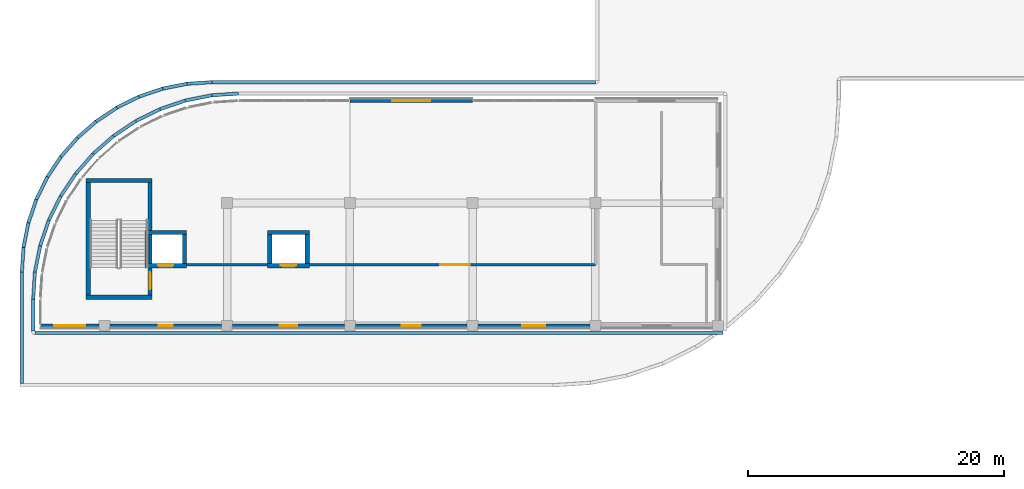
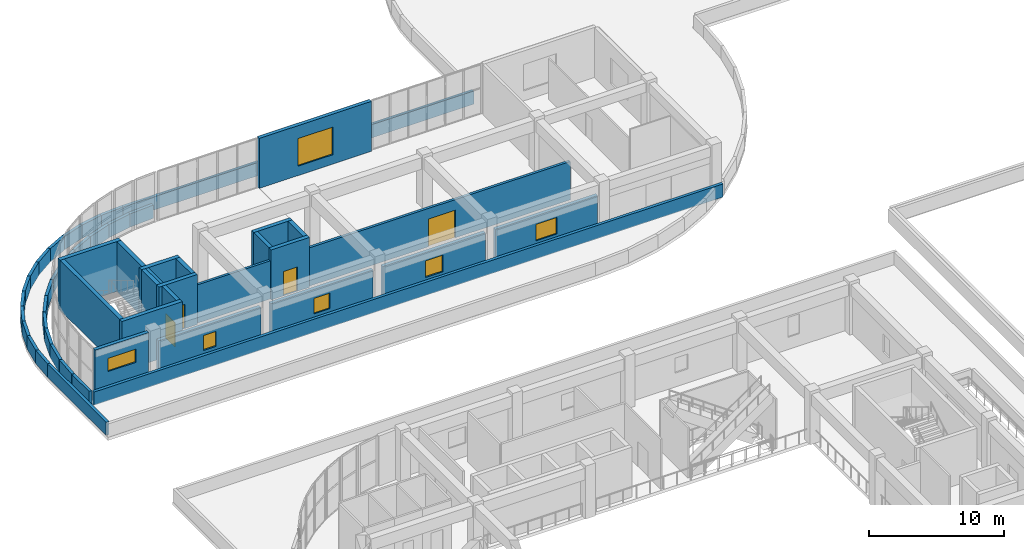
# One storey, part 47 of 67: 48 walls, 6 windows, 4 doors, 10 openings.
"""IFC4 building model written with IfcOpenShell, lengths in metres."""

import ifcopenshell
import ifcopenshell.guid

model = None  # the IFC model being written
_history = None  # IfcOwnerHistory: only IFC2X3 demands one
_inside = {}  # id of a spatial element -> (the spatial element, [elements in it])
_under = {}  # id of a project, library or spatial element -> (it, [spatial elements below it])
_declared = {}  # id of a project -> (the project, [libraries it declares])
_typed = {}  # id of a type object -> (the type object, [elements of that type])
_made_of = {}  # id of a material, layer set ... -> (it, [elements and type objects made of it])


def new_model(schema):
    """Start an empty IFC model of exactly this schema.

    Asked for "IFC4X3", IfcOpenShell would pick the latest addendum, in which some entities
    have other attributes; the version numbers below select the first issue.
    IFC2X3 requires an IfcOwnerHistory on every rooted entity: one is made here for all.
    """
    global model, _history
    if schema == "IFC4X3":
        model = ifcopenshell.file(schema_version=(4, 3, 0, 0))
    else:
        model = ifcopenshell.file(schema=schema)
    _inside.clear()
    _under.clear()
    _declared.clear()
    _typed.clear()
    _made_of.clear()
    _history = None
    if model.schema == "IFC2X3":
        org = make("IfcOrganization", Name="unknown")
        user = make(
            "IfcPersonAndOrganization",
            ThePerson=make("IfcPerson", FamilyName="unknown"),
            TheOrganization=org,
        )
        app = make(
            "IfcApplication",
            ApplicationDeveloper=org,
            Version="unknown",
            ApplicationFullName="unknown",
            ApplicationIdentifier="unknown",
        )
        _history = make(
            "IfcOwnerHistory",
            OwningUser=user,
            OwningApplication=app,
            ChangeAction="ADDED",
            CreationDate=0,
        )
    return model


def make(cls, **values):
    """One entity of the class cls with the attributes given. An attribute that is None is left unset."""
    return model.create_entity(
        cls, **{name: value for name, value in values.items() if value is not None}
    )


def rooted(cls, **values):
    """An entity with a GlobalId (a new one), such as an element, a storey or a relation."""
    return make(cls, GlobalId=ifcopenshell.guid.new(), OwnerHistory=_history, **values)


def si_unit(unit_type, name, prefix=None):
    """IfcSIUnit, for example si_unit("LENGTHUNIT", "METRE", prefix="MILLI")."""
    return make("IfcSIUnit", UnitType=unit_type, Prefix=prefix, Name=name)


def assignment(units):
    """IfcUnitAssignment: the units of a project."""
    return None if units is None else make("IfcUnitAssignment", Units=units)


def point(xyz):
    """IfcCartesianPoint."""
    return None if xyz is None else make("IfcCartesianPoint", Coordinates=xyz)


def direction(xyz):
    """IfcDirection."""
    return None if xyz is None else make("IfcDirection", DirectionRatios=xyz)


def frame(location, z_axis=None, x_axis=None):
    """IfcAxis2Placement3D, a coordinate frame: its origin and axes. An axis left out is left unset."""
    return make(
        "IfcAxis2Placement3D",
        Location=point(location),
        Axis=direction(z_axis),
        RefDirection=direction(x_axis),
    )


def frame_2d(location, x_axis=None):
    """IfcAxis2Placement2D, a coordinate frame in the plane: its origin and x axis."""
    return make(
        "IfcAxis2Placement2D", Location=point(location), RefDirection=direction(x_axis)
    )


def origin():
    """The frame at (0, 0, 0) with its axes left unset."""
    return frame((0.0, 0.0, 0.0))


def place(relative_to, where):
    """IfcLocalPlacement: puts the frame where relative to a parent placement (None: the world)."""
    return make(
        "IfcLocalPlacement", PlacementRelTo=relative_to, RelativePlacement=where
    )


def context(
    kind, dimensions, precision=None, world=None, true_north=None, identifier=None
):
    """IfcGeometricRepresentationContext, for example the 3D "Model" context."""
    return make(
        "IfcGeometricRepresentationContext",
        ContextIdentifier=identifier,
        ContextType=kind,
        CoordinateSpaceDimension=dimensions,
        Precision=precision,
        WorldCoordinateSystem=world,
        TrueNorth=true_north,
    )


def subcontext(parent, identifier, kind, view, scale=None):
    """IfcGeometricRepresentationSubContext, for example "Body" below "Model"."""
    return make(
        "IfcGeometricRepresentationSubContext",
        ContextIdentifier=identifier,
        ContextType=kind,
        ParentContext=parent,
        TargetScale=scale,
        TargetView=view,
    )


def project(units=None, contexts=None):
    """IfcProject with its units and contexts."""
    return rooted(
        "IfcProject",
        Name="project",
        RepresentationContexts=contexts,
        UnitsInContext=assignment(units),
    )


def spatial(cls, under=None, at=None, **own):
    """A site, building, storey or space (cls), placed at a placement, below another one or the project."""
    s = rooted(cls, ObjectPlacement=at, **own)
    if under is not None:
        _under.setdefault(under.id(), (under, []))[1].append(s)
    return s


def profile(cls, at=None, kind="AREA", **sizes):
    """A parametric profile (cls). Its sizes go by their IFC names, for example OverallWidth=200.0."""
    return make(cls, ProfileType=kind, Position=at, **sizes)


def rectangle(**sizes):
    """IfcRectangleProfileDef."""
    return profile("IfcRectangleProfileDef", **sizes)


def extrude(swept, where, along, depth):
    """IfcExtrudedAreaSolid: the profile swept, set in the frame where, extruded along a direction by depth."""
    return make(
        "IfcExtrudedAreaSolid",
        SweptArea=swept,
        Position=where,
        ExtrudedDirection=direction(along),
        Depth=depth,
    )


def shape(context_of_items, identifier, shape_type, items):
    """IfcShapeRepresentation: the items that make up one representation, for example the "Body"."""
    return make(
        "IfcShapeRepresentation",
        ContextOfItems=context_of_items,
        RepresentationIdentifier=identifier,
        RepresentationType=shape_type,
        Items=items,
    )


def material(Name=None, Category=None):
    """IfcMaterial."""
    return make("IfcMaterial", Name=Name, Category=Category)


def layer(
    of_material, thickness, ventilated=None, Name=None, Category=None, Priority=None
):
    """IfcMaterialLayer: one layer of a wall or slab, of a material (None: an air gap)."""
    return make(
        "IfcMaterialLayer",
        Material=of_material,
        LayerThickness=thickness,
        IsVentilated=ventilated,
        Name=Name,
        Category=Category,
        Priority=Priority,
    )


def layer_set(layers, Name=None):
    """IfcMaterialLayerSet."""
    return make("IfcMaterialLayerSet", MaterialLayers=layers, LayerSetName=Name)


def made_of(thing, what):
    """Note that an element or type object is made of a material, layer set ...; save() writes the relation."""
    if what is not None:
        _made_of.setdefault(what.id(), (what, []))[1].append(thing)
    return thing


def type_object(cls, material=None, **own):
    """A type object (cls), such as IfcWallType, which elements share."""
    return made_of(rooted(cls, **own), material)


def element(
    cls,
    number,
    at=None,
    inside=None,
    cuts=None,
    type_object=None,
    material=None,
    context=None,
    identifier="Body",
    shape_type=None,
    held_by="IfcProductDefinitionShape",
    body=None,
    shapes=None,
    **own,
):
    """One element of the class cls, such as IfcWall. Its Tag is "e" and its number.

    at: its placement. inside: the storey or other place that contains it. cuts: it is an
    opening in that element (IfcRelVoidsElement). A single representation is given by context,
    identifier, shape_type and body (its items); several are given by shapes. held_by: the class
    of the entity that holds the representations. save() writes the other relations.
    """
    e = rooted(cls, Tag="e%d" % number, ObjectPlacement=at, **own)
    if body is not None:
        shapes = [shape(context, identifier, shape_type, body)]
    if shapes is not None:
        e.Representation = make(held_by, Representations=shapes)
    if inside is not None:
        _inside.setdefault(inside.id(), (inside, []))[1].append(e)
    if cuts is not None:
        rooted(
            "IfcRelVoidsElement", RelatingBuildingElement=cuts, RelatedOpeningElement=e
        )
    if type_object is not None:
        _typed.setdefault(type_object.id(), (type_object, []))[1].append(e)
    return made_of(e, material)


def fill(opening, filler):
    """IfcRelFillsElement: the door or window that sits in an opening."""
    return rooted(
        "IfcRelFillsElement",
        RelatingOpeningElement=opening,
        RelatedBuildingElement=filler,
    )


def aggregate(whole, parts):
    """IfcRelAggregates: a whole, such as a stair, and the parts it consists of."""
    return rooted("IfcRelAggregates", RelatingObject=whole, RelatedObjects=parts)


def save(model, path):
    """Write the relations noted so far, then the file.

    IfcRelAggregates (storeys below a building ...), IfcRelContainedInSpatialStructure (elements
    in a storey), IfcRelDefinesByType, IfcRelAssociatesMaterial and IfcRelDeclares: one each for
    every whole, place, type object, material and project.
    """
    for whole, parts in _under.values():
        aggregate(whole, parts)
    for where, things in _inside.values():
        rooted(
            "IfcRelContainedInSpatialStructure",
            RelatedElements=things,
            RelatingStructure=where,
        )
    for kind, things in _typed.values():
        rooted("IfcRelDefinesByType", RelatedObjects=things, RelatingType=kind)
    for what, things in _made_of.values():
        rooted("IfcRelAssociatesMaterial", RelatedObjects=things, RelatingMaterial=what)
    for by, libraries in _declared.values():
        rooted("IfcRelDeclares", RelatingContext=by, RelatedDefinitions=libraries)
    model.write(path)


model = new_model("IFC4")

# Units and contexts
model_context = context("Model", 3, precision=1e-05, world=origin(), true_north=direction((0.0, 1.0)))
body_context = subcontext(model_context, "Body", "Model", "MODEL_VIEW")
ifc_project = project(units=[si_unit("LENGTHUNIT", "METRE"), si_unit("AREAUNIT", "SQUARE_METRE"), si_unit("VOLUMEUNIT", "CUBIC_METRE"), si_unit("PLANEANGLEUNIT", "RADIAN"), si_unit("MASSUNIT", "GRAM", prefix="KILO")], contexts=[model_context])

# Site, building, storey
site_placement = place(None, origin())
site = spatial("IfcSite", under=ifc_project, at=site_placement, CompositionType="ELEMENT")
building_placement = place(site_placement, origin())
building = spatial("IfcBuilding", under=site, at=building_placement, Name="Cendralis Terraced Arcade", CompositionType="ELEMENT")
storey_placement = place(building_placement, frame((0.0, 0.0, 15.0)))
storey = spatial("IfcBuildingStorey", under=building, at=storey_placement, Name="L03", CompositionType="ELEMENT", Elevation=15.0)

# Wall
ifc_material_1 = material(Name="Gypsum plasterboard acoustic partition", Category="concrete")
ifc_layer_1 = layer(ifc_material_1, 0.205078125, Name="WL-ACOU-205")
ifc_layer_set_1 = layer_set([ifc_layer_1], Name="Gypsum plasterboard acoustic partition")
wall_type_1 = type_object("IfcWallType", Name="WL-ACOU-205", PredefinedType="PARTITIONING", material=ifc_layer_set_1)
wall_1_placement = place(storey_placement, frame((22.360107421875, 74.3798828125, 0.0), z_axis=(0.0, 0.0, 1.0), x_axis=(-1.0, 0.0, 0.0)))
element("IfcWall", 1, at=wall_1_placement, inside=storey, type_object=wall_type_1, Name="Interior Partition Wall IW-L03-0545", PredefinedType="PARTITIONING", context=body_context, shape_type="SweptSolid", body=[
    extrude(rectangle(XDim=6.320068359375, YDim=0.205078125, at=frame_2d((3.16015625, 0.0))), origin(), (0.0, 0.0, 1.0), 3.4599609375),
])

# Wall, opening, door
ifc_material_2 = material(Name="Autoclaved aerated concrete blockwork", Category="masonry")
ifc_layer_2 = layer(ifc_material_2, 0.221923828125, Name="WL-ACOU-222")
ifc_layer_set_2 = layer_set([ifc_layer_2], Name="Autoclaved aerated concrete blockwork")
wall_type_2 = type_object("IfcWallType", Name="WL-ACOU-222", PredefinedType="PARTITIONING", material=ifc_layer_set_2)
wall_2_placement = place(storey_placement, frame((48.02001953125, 74.3798828125, 0.0), z_axis=(0.0, 0.0, 1.0), x_axis=(-1.0, 0.0, 0.0)))
wall_2 = element("IfcWall", 2, at=wall_2_placement, inside=storey, type_object=wall_type_2, Name="Interior Partition Wall IW-L03-0543", PredefinedType="PARTITIONING", context=body_context, shape_type="SweptSolid", body=[
    extrude(rectangle(XDim=22.380126953125, YDim=0.221923828125, at=frame_2d((11.18994140625, 0.0))), origin(), (0.0, 0.0, 1.0), 3.4599609375),
])
opening_1_placement = place(wall_2_placement, frame((9.8369140625, 0.0, 0.0)))
opening_1 = element("IfcOpeningElement", 3, at=opening_1_placement, cuts=wall_2, Name="Opening D-L03-145", PredefinedType="OPENING", context=body_context, shape_type="SweptSolid", body=[
    extrude(rectangle(XDim=2.300048828125, YDim=2.5, at=frame_2d((1.14990234375, 1.25))), frame((0.0, 0.123046875, 0.0), z_axis=(0.0, -1.0, 0.0), x_axis=(1.0, 0.0, 0.0)), (0.0, 0.0, 1.0), 0.245849609375),
])
ifc_material_3 = material(Name="Solid core Andean oak veneer door leaf", Category="aluminium")
door_type_1 = type_object("IfcDoorType", Name="ID-DEP-2300x2500", OperationType="DOUBLE_DOOR_SINGLE_SWING", PredefinedType="DOOR", material=ifc_material_3)
door_1_placement = place(opening_1_placement, origin())
door_1 = element("IfcDoor", 4, at=door_1_placement, inside=storey, type_object=door_type_1, Name="Electronics and Media Gallery Door D-L03-145", OperationType="DOUBLE_DOOR_SINGLE_SWING", OverallHeight=2.5, OverallWidth=2.300048828125, PredefinedType="DOOR", context=body_context, shape_type="SweptSolid", body=[
    extrude(rectangle(XDim=2.300048828125, YDim=2.5, at=frame_2d((1.14990234375, 1.25))), frame((0.0, 0.02490234375, 0.0), z_axis=(0.0, -1.0, 0.0), x_axis=(1.0, 0.0, 0.0)), (0.0, 0.0, 1.0), 0.050048828125),
])
fill(opening_1, door_1)

# Walls
ifc_material_4 = material(Name="Concrete f'c 42 MPa", Category="concrete")
ifc_layer_3 = layer(ifc_material_4, 0.340087890625, Name="WL-CORE-340")
ifc_layer_set_3 = layer_set([ifc_layer_3], Name="Concrete f'c 42 MPa")
wall_type_3 = type_object("IfcWallType", Name="WL-CORE-340", PredefinedType="SHEAR", material=ifc_layer_set_3)
for number, where, z_axis, x_axis, name in (
    (5, (8.159912109375, 71.830078125, 0.0), (0.0, 0.0, 1.0), (1.0, 0.0, 0.0), "Stair Core Reinforced Concrete Shear Wall SW-ST-07-L03-S"),
    (6, (8.159912109375, 80.969970703125, 0.0), (0.0, 0.0, 1.0), (1.0, 0.0, 0.0), "Stair Core Reinforced Concrete Shear Wall SW-ST-07-L03-N"),
):
    element("IfcWall", number, at=place(storey_placement, frame(where, z_axis=z_axis, x_axis=x_axis)), inside=storey, type_object=wall_type_3, Name=name, PredefinedType="SHEAR", context=body_context, shape_type="SweptSolid", body=[
        extrude(rectangle(XDim=5.18017578125, YDim=0.340087890625, at=frame_2d((2.590087890625, 0.0))), origin(), (0.0, 0.0, 1.0), 4.52001953125),
    ])

# Wall, opening, door
wall_3_placement = place(storey_placement, frame((13.169921875, 72.0, 0.0), z_axis=(0.0, 0.0, 1.0), x_axis=(0.0, 1.0, 0.0)))
wall_3 = element("IfcWall", 7, at=wall_3_placement, inside=storey, type_object=wall_type_3, Name="Stair Core Reinforced Concrete Shear Wall SW-ST-07-L03-E", PredefinedType="SHEAR", context=body_context, shape_type="SweptSolid", body=[
    extrude(rectangle(XDim=8.800048828125, YDim=0.340087890625, at=frame_2d((4.39990234375, 0.0))), origin(), (0.0, 0.0, 1.0), 4.52001953125),
])
opening_2_placement = place(wall_3_placement, frame((0.449951171875, 0.0, 0.0)))
opening_2 = element("IfcOpeningElement", 8, at=opening_2_placement, cuts=wall_3, Name="Opening D-ST-07-L03", PredefinedType="OPENING", context=body_context, shape_type="SweptSolid", body=[
    extrude(rectangle(XDim=1.35009765625, YDim=2.199951171875, at=frame_2d((0.675048828125, 1.10009765625))), frame((0.0, 0.18212890625, 0.0), z_axis=(0.0, -1.0, 0.0), x_axis=(1.0, 0.0, 0.0)), (0.0, 0.0, 1.0), 0.364013671875),
])
ifc_material_5 = material(Name="Galvanised fire-rated steel door assembly", Category="steel")
door_type_2 = type_object("IfcDoorType", Name="ID-ST-1350x2200", OperationType="NOTDEFINED", PredefinedType="DOOR", material=ifc_material_5)
door_2_placement = place(opening_2_placement, origin())
door_2 = element("IfcDoor", 9, at=door_2_placement, inside=storey, type_object=door_type_2, Name="Protected Stair ST-07 Fire Door (L03)", OperationType="SINGLE_SWING_LEFT", OverallHeight=2.199951171875, OverallWidth=1.35009765625, PredefinedType="DOOR", context=body_context, shape_type="SweptSolid", body=[
    extrude(rectangle(XDim=1.35009765625, YDim=2.199951171875, at=frame_2d((0.675048828125, 1.10009765625))), frame((0.0, 0.02490234375, 0.0), z_axis=(0.0, -1.0, 0.0), x_axis=(1.0, 0.0, 0.0)), (0.0, 0.0, 1.0), 0.050048828125),
])
fill(opening_2, door_2)

# Wall
wall_4_placement = place(storey_placement, frame((8.330078125, 72.0, 0.0), z_axis=(0.0, 0.0, 1.0), x_axis=(0.0, 1.0, 0.0)))
element("IfcWall", 10, at=wall_4_placement, inside=storey, type_object=wall_type_3, Name="Stair Core Reinforced Concrete Shear Wall SW-ST-07-L03-W", PredefinedType="SHEAR", context=body_context, shape_type="SweptSolid", body=[
    extrude(rectangle(XDim=8.800048828125, YDim=0.340087890625, at=frame_2d((4.39990234375, 0.0))), origin(), (0.0, 0.0, 1.0), 4.52001953125),
])

# Wall, opening, door
wall_5_placement = place(storey_placement, frame((12.760009765625, 74.304931640625, 0.0), z_axis=(0.0, 0.0, 1.0), x_axis=(1.0, 0.0, 0.0)))
wall_5 = element("IfcWall", 11, at=wall_5_placement, inside=storey, type_object=wall_type_3, Name="Lift PL-05 Reinforced Concrete Shaft Wall (L03)", PredefinedType="SHEAR", context=body_context, shape_type="SweptSolid", body=[
    extrude(rectangle(XDim=3.280029296875, YDim=0.340087890625, at=frame_2d((1.64013671875, 0.0))), origin(), (0.0, 0.0, 1.0), 4.52001953125),
])
opening_3_placement = place(wall_5_placement, frame((1.0400390625, 0.0, 0.0)))
opening_3 = element("IfcOpeningElement", 12, at=opening_3_placement, cuts=wall_5, Name="Opening LD-PL-05-L03", PredefinedType="OPENING", context=body_context, shape_type="SweptSolid", body=[
    extrude(rectangle(XDim=1.199951171875, YDim=2.199951171875, at=frame_2d((0.60009765625, 1.10009765625))), frame((0.0, 0.18212890625, 0.0), z_axis=(0.0, -1.0, 0.0), x_axis=(1.0, 0.0, 0.0)), (0.0, 0.0, 1.0), 0.364013671875),
])
ifc_material_6 = material(Name="Anodised aluminium sliding door assembly", Category="aluminium")
door_type_3 = type_object("IfcDoorType", Name="ID-LD-PX-1200x2200", OperationType="DOUBLE_DOOR_SLIDING", PredefinedType="DOOR", material=ifc_material_6)
door_3_placement = place(opening_3_placement, origin())
door_3 = element("IfcDoor", 13, at=door_3_placement, inside=storey, type_object=door_type_3, Name="Lift PL-05 Sliding Landing Door (L03)", OperationType="DOUBLE_DOOR_SLIDING", OverallHeight=2.199951171875, OverallWidth=1.199951171875, PredefinedType="DOOR", context=body_context, shape_type="SweptSolid", body=[
    extrude(rectangle(XDim=1.199951171875, YDim=2.199951171875, at=frame_2d((0.60009765625, 1.10009765625))), frame((0.0, 0.02490234375, 0.0), z_axis=(0.0, -1.0, 0.0), x_axis=(1.0, 0.0, 0.0)), (0.0, 0.0, 1.0), 0.050048828125),
])
fill(opening_3, door_3)

# Walls
wall_6_placement = place(storey_placement, frame((12.760009765625, 76.89501953125, 0.0), z_axis=(0.0, 0.0, 1.0), x_axis=(1.0, 0.0, 0.0)))
element("IfcWall", 14, at=wall_6_placement, inside=storey, type_object=wall_type_3, Name="Lift PL-05 Reinforced Concrete Shaft Wall (L03)", PredefinedType="SHEAR", context=body_context, shape_type="SweptSolid", body=[
    extrude(rectangle(XDim=3.280029296875, YDim=0.340087890625, at=frame_2d((1.64013671875, 0.0))), origin(), (0.0, 0.0, 1.0), 4.52001953125),
])
for number, where, z_axis, x_axis, name in (
    (15, (12.929931640625, 74.47509765625, 0.0), (0.0, 0.0, 1.0), (0.0, 1.0, 0.0), "Lift PL-05 Reinforced Concrete Shaft Wall (L03)"),
    (16, (15.8701171875, 74.47509765625, 0.0), (0.0, 0.0, 1.0), (0.0, 1.0, 0.0), "Lift PL-05 Reinforced Concrete Shaft Wall (L03)"),
):
    element("IfcWall", number, at=place(storey_placement, frame(where, z_axis=z_axis, x_axis=x_axis)), inside=storey, type_object=wall_type_3, Name=name, PredefinedType="SHEAR", context=body_context, shape_type="SweptSolid", body=[
        extrude(rectangle(XDim=2.25, YDim=0.340087890625, at=frame_2d((1.125, 0.0))), origin(), (0.0, 0.0, 1.0), 4.52001953125),
    ])

# Wall, opening, door
wall_7_placement = place(storey_placement, frame((22.360107421875, 74.304931640625, 0.0), z_axis=(0.0, 0.0, 1.0), x_axis=(1.0, 0.0, 0.0)))
wall_7 = element("IfcWall", 17, at=wall_7_placement, inside=storey, type_object=wall_type_3, Name="Lift PL-06 Reinforced Concrete Shaft Wall (L03)", PredefinedType="SHEAR", context=body_context, shape_type="SweptSolid", body=[
    extrude(rectangle(XDim=3.27978515625, YDim=0.340087890625, at=frame_2d((1.639892578125, 0.0))), origin(), (0.0, 0.0, 1.0), 4.52001953125),
])
opening_4_placement = place(wall_7_placement, frame((1.0400390625, 0.0, 0.0)))
opening_4 = element("IfcOpeningElement", 18, at=opening_4_placement, cuts=wall_7, Name="Opening LD-PL-06-L03", PredefinedType="OPENING", context=body_context, shape_type="SweptSolid", body=[
    extrude(rectangle(XDim=1.199951171875, YDim=2.199951171875, at=frame_2d((0.60009765625, 1.10009765625))), frame((0.0, 0.18212890625, 0.0), z_axis=(0.0, -1.0, 0.0), x_axis=(1.0, 0.0, 0.0)), (0.0, 0.0, 1.0), 0.364013671875),
])
door_4_placement = place(opening_4_placement, origin())
door_4 = element("IfcDoor", 19, at=door_4_placement, inside=storey, type_object=door_type_3, Name="Lift PL-06 Sliding Landing Door (L03)", OperationType="DOUBLE_DOOR_SLIDING", OverallHeight=2.199951171875, OverallWidth=1.199951171875, PredefinedType="DOOR", context=body_context, shape_type="SweptSolid", body=[
    extrude(rectangle(XDim=1.199951171875, YDim=2.199951171875, at=frame_2d((0.60009765625, 1.10009765625))), frame((0.0, 0.02490234375, 0.0), z_axis=(0.0, -1.0, 0.0), x_axis=(1.0, 0.0, 0.0)), (0.0, 0.0, 1.0), 0.050048828125),
])
fill(opening_4, door_4)

# Walls
wall_8_placement = place(storey_placement, frame((22.360107421875, 76.89501953125, 0.0), z_axis=(0.0, 0.0, 1.0), x_axis=(1.0, 0.0, 0.0)))
element("IfcWall", 20, at=wall_8_placement, inside=storey, type_object=wall_type_3, Name="Lift PL-06 Reinforced Concrete Shaft Wall (L03)", PredefinedType="SHEAR", context=body_context, shape_type="SweptSolid", body=[
    extrude(rectangle(XDim=3.27978515625, YDim=0.340087890625, at=frame_2d((1.639892578125, 0.0))), origin(), (0.0, 0.0, 1.0), 4.52001953125),
])
for number, where, z_axis, x_axis, name in (
    (21, (22.530029296875, 74.47509765625, 0.0), (0.0, 0.0, 1.0), (0.0, 1.0, 0.0), "Lift PL-06 Reinforced Concrete Shaft Wall (L03)"),
    (22, (25.469970703125, 74.47509765625, 0.0), (0.0, 0.0, 1.0), (0.0, 1.0, 0.0), "Lift PL-06 Reinforced Concrete Shaft Wall (L03)"),
):
    element("IfcWall", number, at=place(storey_placement, frame(where, z_axis=z_axis, x_axis=x_axis)), inside=storey, type_object=wall_type_3, Name=name, PredefinedType="SHEAR", context=body_context, shape_type="SweptSolid", body=[
        extrude(rectangle(XDim=2.25, YDim=0.340087890625, at=frame_2d((1.125, 0.0))), origin(), (0.0, 0.0, 1.0), 4.52001953125),
    ])

# Wall, opening, window
ifc_material_7 = material(Name="Precast concrete f'c 40 MPa", Category="concrete")
ifc_layer_4 = layer(ifc_material_7, 0.300048828125, Name="WL-EXT-GRC-300")
ifc_layer_set_4 = layer_set([ifc_layer_4], Name="Precast concrete f'c 40 MPa")
wall_type_4 = type_object("IfcWallType", Name="WL-EXT-GRC-300", PredefinedType="SOLIDWALL", material=ifc_layer_set_4)
wall_9_placement = place(storey_placement, frame((28.800048828125, 87.199951171875, 0.0), z_axis=(0.0, 0.0, 1.0), x_axis=(1.0, 0.0, 0.0)))
wall_9 = element("IfcWall", 23, at=wall_9_placement, inside=storey, type_object=wall_type_4, Name="Exterior Architectural Wall EW-L03-0274", PredefinedType="SOLIDWALL", context=body_context, shape_type="SweptSolid", body=[
    extrude(rectangle(XDim=9.599853515625, YDim=0.300048828125, at=frame_2d((4.7998046875, 0.0))), origin(), (0.0, 0.0, 1.0), 4.52001953125),
])
opening_5_placement = place(wall_9_placement, frame((3.300048828125, 0.0, 0.85009765625)))
opening_5 = element("IfcOpeningElement", 24, at=opening_5_placement, cuts=wall_9, Name="Opening W-08", PredefinedType="OPENING", context=body_context, shape_type="SweptSolid", body=[
    extrude(rectangle(XDim=3.0, YDim=2.5, at=frame_2d((1.5, 1.25))), frame((0.0, 0.162109375, 0.0), z_axis=(0.0, -1.0, 0.0), x_axis=(1.0, 0.0, 0.0)), (0.0, 0.0, 1.0), 0.323974609375),
])
ifc_material_8 = material(Name="Tempered solar control laminated glass", Category="glass")
window_type_1 = type_object("IfcWindowType", Name="WN-F2-3000x2500", PartitioningType="SINGLE_PANEL", PredefinedType="WINDOW", material=ifc_material_8)
window_1_placement = place(opening_5_placement, origin())
window_1 = element("IfcWindow", 25, at=window_1_placement, inside=storey, type_object=window_type_1, Name="Exterior Solar-Control Window WN-L03-0181", OverallHeight=2.5, OverallWidth=3.0, PartitioningType="SINGLE_PANEL", PredefinedType="WINDOW", context=body_context, shape_type="SweptSolid", body=[
    extrude(rectangle(XDim=3.0, YDim=2.5, at=frame_2d((1.5, 1.25))), frame((0.0, 0.030029296875, 0.0), z_axis=(0.0, -1.0, 0.0), x_axis=(1.0, 0.0, 0.0)), (0.0, 0.0, 1.0), 0.06005859375),
])
fill(opening_5, window_1)

wall_10_placement = place(storey_placement, frame((47.576904296875, 69.60009765625, 0.0), z_axis=(0.0, 0.0, 1.0), x_axis=(-1.0, 0.0, 0.0)))
wall_10 = element("IfcWall", 26, at=wall_10_placement, inside=storey, type_object=wall_type_4, Name="Exterior Architectural Wall EW-L03-0279", PredefinedType="SOLIDWALL", context=body_context, shape_type="SweptSolid", body=[
    extrude(rectangle(XDim=8.75390625, YDim=0.300048828125, at=frame_2d((4.376953125, 0.0))), origin(), (0.0, 0.0, 1.0), 3.4599609375),
])
opening_6_placement = place(wall_10_placement, frame((3.47705078125, 0.0, 1.199951171875)))
opening_6 = element("IfcOpeningElement", 27, at=opening_6_placement, cuts=wall_10, Name="Opening W-19", PredefinedType="OPENING", context=body_context, shape_type="SweptSolid", body=[
    extrude(rectangle(XDim=1.800048828125, YDim=1.5, at=frame_2d((0.89990234375, 0.75))), frame((0.0, 0.162109375, 0.0), z_axis=(0.0, -1.0, 0.0), x_axis=(1.0, 0.0, 0.0)), (0.0, 0.0, 1.0), 0.323974609375),
])
window_type_2 = type_object("IfcWindowType", Name="WN-BOH-1800x1500", PartitioningType="SINGLE_PANEL", PredefinedType="WINDOW", material=ifc_material_8)
window_2_placement = place(opening_6_placement, origin())
window_2 = element("IfcWindow", 28, at=window_2_placement, inside=storey, type_object=window_type_2, Name="Exterior Solar-Control Window WN-L03-0186", OverallHeight=1.5, OverallWidth=1.800048828125, PartitioningType="SINGLE_PANEL", PredefinedType="WINDOW", context=body_context, shape_type="SweptSolid", body=[
    extrude(rectangle(XDim=1.800048828125, YDim=1.5, at=frame_2d((0.89990234375, 0.75))), frame((0.0, 0.030029296875, 0.0), z_axis=(0.0, -1.0, 0.0), x_axis=(1.0, 0.0, 0.0)), (0.0, 0.0, 1.0), 0.06005859375),
])
fill(opening_6, window_2)

wall_11_placement = place(storey_placement, frame((37.97705078125, 69.60009765625, 0.0), z_axis=(0.0, 0.0, 1.0), x_axis=(-1.0, 0.0, 0.0)))
wall_11 = element("IfcWall", 29, at=wall_11_placement, inside=storey, type_object=wall_type_4, Name="Exterior Architectural Wall EW-L03-0280", PredefinedType="SOLIDWALL", context=body_context, shape_type="SweptSolid", body=[
    extrude(rectangle(XDim=8.754150390625, YDim=0.300048828125, at=frame_2d((4.376953125, 0.0))), origin(), (0.0, 0.0, 1.0), 3.4599609375),
])
opening_7_placement = place(wall_11_placement, frame((3.626953125, 0.0, 1.199951171875)))
opening_7 = element("IfcOpeningElement", 30, at=opening_7_placement, cuts=wall_11, Name="Opening W-20", PredefinedType="OPENING", context=body_context, shape_type="SweptSolid", body=[
    extrude(rectangle(XDim=1.5, YDim=1.5, at=frame_2d((0.75, 0.75))), frame((0.0, 0.162109375, 0.0), z_axis=(0.0, -1.0, 0.0), x_axis=(1.0, 0.0, 0.0)), (0.0, 0.0, 1.0), 0.323974609375),
])
window_type_3 = type_object("IfcWindowType", Name="WN-BOH-1500x1500", PartitioningType="SINGLE_PANEL", PredefinedType="WINDOW", material=ifc_material_8)
window_3_placement = place(opening_7_placement, origin())
window_3 = element("IfcWindow", 31, at=window_3_placement, inside=storey, type_object=window_type_3, Name="Exterior Solar-Control Window WN-L03-0187", OverallHeight=1.5, OverallWidth=1.5, PartitioningType="SINGLE_PANEL", PredefinedType="WINDOW", context=body_context, shape_type="SweptSolid", body=[
    extrude(rectangle(XDim=1.5, YDim=1.5, at=frame_2d((0.75, 0.75))), frame((0.0, 0.030029296875, 0.0), z_axis=(0.0, -1.0, 0.0), x_axis=(1.0, 0.0, 0.0)), (0.0, 0.0, 1.0), 0.06005859375),
])
fill(opening_7, window_3)

wall_12_placement = place(storey_placement, frame((28.376953125, 69.60009765625, 0.0), z_axis=(0.0, 0.0, 1.0), x_axis=(-1.0, 0.0, 0.0)))
wall_12 = element("IfcWall", 32, at=wall_12_placement, inside=storey, type_object=wall_type_4, Name="Exterior Architectural Wall EW-L03-0281", PredefinedType="SOLIDWALL", context=body_context, shape_type="SweptSolid", body=[
    extrude(rectangle(XDim=8.75390625, YDim=0.300048828125, at=frame_2d((4.376953125, 0.0))), origin(), (0.0, 0.0, 1.0), 3.4599609375),
])
opening_8_placement = place(wall_12_placement, frame((3.701904296875, 0.0, 1.25)))
opening_8 = element("IfcOpeningElement", 33, at=opening_8_placement, cuts=wall_12, Name="Opening W-21", PredefinedType="OPENING", context=body_context, shape_type="SweptSolid", body=[
    extrude(rectangle(XDim=1.35009765625, YDim=1.39990234375, at=frame_2d((0.675048828125, 0.699951171875))), frame((0.0, 0.162109375, 0.0), z_axis=(0.0, -1.0, 0.0), x_axis=(1.0, 0.0, 0.0)), (0.0, 0.0, 1.0), 0.323974609375),
])
window_type_4 = type_object("IfcWindowType", Name="WN-BOH-1350x1400", PartitioningType="SINGLE_PANEL", PredefinedType="WINDOW", material=ifc_material_8)
window_4_placement = place(opening_8_placement, origin())
window_4 = element("IfcWindow", 34, at=window_4_placement, inside=storey, type_object=window_type_4, Name="Exterior Solar-Control Window WN-L03-0188", OverallHeight=1.39990234375, OverallWidth=1.35009765625, PartitioningType="SINGLE_PANEL", PredefinedType="WINDOW", context=body_context, shape_type="SweptSolid", body=[
    extrude(rectangle(XDim=1.35009765625, YDim=1.39990234375, at=frame_2d((0.675048828125, 0.699951171875))), frame((0.0, 0.030029296875, 0.0), z_axis=(0.0, -1.0, 0.0), x_axis=(1.0, 0.0, 0.0)), (0.0, 0.0, 1.0), 0.06005859375),
])
fill(opening_8, window_4)

wall_13_placement = place(storey_placement, frame((18.777099609375, 69.60009765625, 0.0), z_axis=(0.0, 0.0, 1.0), x_axis=(-1.0, 0.0, 0.0)))
wall_13 = element("IfcWall", 35, at=wall_13_placement, inside=storey, type_object=wall_type_4, Name="Exterior Architectural Wall EW-L03-0282", PredefinedType="SOLIDWALL", context=body_context, shape_type="SweptSolid", body=[
    extrude(rectangle(XDim=8.754150390625, YDim=0.300048828125, at=frame_2d((4.376953125, 0.0))), origin(), (0.0, 0.0, 1.0), 3.4599609375),
])
opening_9_placement = place(wall_13_placement, frame((3.826904296875, 0.0, 1.25)))
opening_9 = element("IfcOpeningElement", 36, at=opening_9_placement, cuts=wall_13, Name="Opening W-22", PredefinedType="OPENING", context=body_context, shape_type="SweptSolid", body=[
    extrude(rectangle(XDim=1.10009765625, YDim=1.35009765625, at=frame_2d((0.550048828125, 0.675048828125))), frame((0.0, 0.162109375, 0.0), z_axis=(0.0, -1.0, 0.0), x_axis=(1.0, 0.0, 0.0)), (0.0, 0.0, 1.0), 0.323974609375),
])
window_type_5 = type_object("IfcWindowType", Name="WN-BOH-1100x1350", PartitioningType="SINGLE_PANEL", PredefinedType="WINDOW", material=ifc_material_8)
window_5_placement = place(opening_9_placement, origin())
window_5 = element("IfcWindow", 37, at=window_5_placement, inside=storey, type_object=window_type_5, Name="Exterior Solar-Control Window WN-L03-0189", OverallHeight=1.35009765625, OverallWidth=1.10009765625, PartitioningType="SINGLE_PANEL", PredefinedType="WINDOW", context=body_context, shape_type="SweptSolid", body=[
    extrude(rectangle(XDim=1.10009765625, YDim=1.35009765625, at=frame_2d((0.550048828125, 0.675048828125))), frame((0.0, 0.030029296875, 0.0), z_axis=(0.0, -1.0, 0.0), x_axis=(1.0, 0.0, 0.0)), (0.0, 0.0, 1.0), 0.06005859375),
])
fill(opening_9, window_5)

wall_14_placement = place(storey_placement, frame((9.177001953125, 69.60009765625, 0.0), z_axis=(0.0, 0.0, 1.0), x_axis=(-1.0, 0.0, 0.0)))
wall_14 = element("IfcWall", 38, at=wall_14_placement, inside=storey, type_object=wall_type_4, Name="Exterior Architectural Wall EW-L03-0283", PredefinedType="SOLIDWALL", context=body_context, shape_type="SweptSolid", body=[
    extrude(rectangle(XDim=4.576904296875, YDim=0.300048828125, at=frame_2d((2.28857421875, 0.0))), origin(), (0.0, 0.0, 1.0), 4.52001953125),
])
opening_10_placement = place(wall_14_placement, frame((1.08837890625, 0.0, 2.199951171875)))
opening_10 = element("IfcOpeningElement", 39, at=opening_10_placement, cuts=wall_14, Name="Opening W-17", PredefinedType="OPENING", context=body_context, shape_type="SweptSolid", body=[
    extrude(rectangle(XDim=2.39990234375, YDim=1.199951171875, at=frame_2d((1.199951171875, 0.60009765625))), frame((0.0, 0.162109375, 0.0), z_axis=(0.0, -1.0, 0.0), x_axis=(1.0, 0.0, 0.0)), (0.0, 0.0, 1.0), 0.323974609375),
])
window_type_6 = type_object("IfcWindowType", Name="WN-CL-2400x1200", PartitioningType="SINGLE_PANEL", PredefinedType="WINDOW", material=ifc_material_8)
window_6_placement = place(opening_10_placement, origin())
window_6 = element("IfcWindow", 40, at=window_6_placement, inside=storey, type_object=window_type_6, Name="Exterior Solar-Control Window WN-L03-0190", OverallHeight=1.199951171875, OverallWidth=2.39990234375, PartitioningType="SINGLE_PANEL", PredefinedType="WINDOW", context=body_context, shape_type="SweptSolid", body=[
    extrude(rectangle(XDim=2.39990234375, YDim=1.199951171875, at=frame_2d((1.199951171875, 0.60009765625))), frame((0.0, 0.030029296875, 0.0), z_axis=(0.0, -1.0, 0.0), x_axis=(1.0, 0.0, 0.0)), (0.0, 0.0, 1.0), 0.06005859375),
])
fill(opening_10, window_6)

# Walls
ifc_layer_5 = layer(ifc_material_7, 0.25, Name="WL-PAR-250")
ifc_layer_set_5 = layer_set([ifc_layer_5], Name="Precast concrete f'c 40 MPa")
wall_type_5 = type_object("IfcWallType", Name="WL-PAR-250", PredefinedType="PARAPET", material=ifc_layer_set_5)
wall_15_placement = place(storey_placement, frame((20.076904296875, 87.7646484375, 0.0), z_axis=(0.0, 0.0, 1.0), x_axis=(-0.997860736713, -0.065375455078, 0.0)))
element("IfcWall", 41, at=wall_15_placement, inside=storey, type_object=wall_type_5, Name="Precast Concrete Roof Parapet Wall PAR-L03-211", PredefinedType="PARAPET", context=body_context, shape_type="SweptSolid", body=[
    extrude(rectangle(XDim=2.06884765625, YDim=0.25, at=frame_2d((1.034423828125, 0.0))), origin(), (0.0, 0.0, 1.0), 1.199951171875),
])
wall_16_placement = place(storey_placement, frame((17.99365234375, 87.626953125, 0.0), z_axis=(0.0, 0.0, 1.0), x_axis=(-0.980787542946, -0.195078947103, 0.0)))
element("IfcWall", 42, at=wall_16_placement, inside=storey, type_object=wall_type_5, Name="Precast Concrete Roof Parapet Wall PAR-L03-212", PredefinedType="PARAPET", context=body_context, shape_type="SweptSolid", body=[
    extrude(rectangle(XDim=2.08251953125, YDim=0.25, at=frame_2d((1.041259765625, 0.0))), origin(), (0.0, 0.0, 1.0), 1.199951171875),
])
wall_17_placement = place(storey_placement, frame((15.932861328125, 87.2158203125, 0.0), z_axis=(0.0, 0.0, 1.0), x_axis=(-0.946934107928, -0.321427744979, 0.0)))
element("IfcWall", 43, at=wall_17_placement, inside=storey, type_object=wall_type_5, Name="Precast Concrete Roof Parapet Wall PAR-L03-213", PredefinedType="PARAPET", context=body_context, shape_type="SweptSolid", body=[
    extrude(rectangle(XDim=2.082763671875, YDim=0.25, at=frame_2d((1.04150390625, 0.0))), origin(), (0.0, 0.0, 1.0), 1.199951171875),
])
for number, where, z_axis, x_axis, name in (
    (44, (13.943115234375, 86.5390625, 0.0), (0.0, 0.0, 1.0), (-0.896852395233, -0.442329946041, 0.0), "Precast Concrete Roof Parapet Wall PAR-L03-214"),
    (45, (12.05908203125, 85.6083984375, 0.0), (0.0, 0.0, 1.0), (-0.831490789314, -0.555538538074, 0.0), "Precast Concrete Roof Parapet Wall PAR-L03-215"),
    (46, (10.3125, 84.43994140625, 0.0), (0.0, 0.0, 1.0), (-0.751893676776, -0.659284383877, 0.0), "Precast Concrete Roof Parapet Wall PAR-L03-216"),
    (47, (8.733154296875, 83.053466796875, 0.0), (0.0, 0.0, 1.0), (-0.659284383877, -0.751893676776, 0.0), "Precast Concrete Roof Parapet Wall PAR-L03-217"),
    (48, (7.348388671875, 81.47265625, 0.0), (0.0, 0.0, 1.0), (-0.555538538074, -0.831490789314, 0.0), "Precast Concrete Roof Parapet Wall PAR-L03-218"),
):
    element("IfcWall", number, at=place(storey_placement, frame(where, z_axis=z_axis, x_axis=x_axis)), inside=storey, type_object=wall_type_5, Name=name, PredefinedType="PARAPET", context=body_context, shape_type="SweptSolid", body=[
        extrude(rectangle(XDim=2.08251953125, YDim=0.25, at=frame_2d((1.041259765625, 0.0))), origin(), (0.0, 0.0, 1.0), 1.199951171875),
    ])
for number, where, z_axis, x_axis, name in (
    (49, (6.18212890625, 79.724609375, 0.0), (0.0, 0.0, 1.0), (-0.442283442423, -0.89687532944, 0.0), "Precast Concrete Roof Parapet Wall PAR-L03-219"),
    (50, (5.253662109375, 77.83935546875, 0.0), (0.0, 0.0, 1.0), (-0.321427744979, -0.946934107928, 0.0), "Precast Concrete Roof Parapet Wall PAR-L03-220"),
):
    element("IfcWall", number, at=place(storey_placement, frame(where, z_axis=z_axis, x_axis=x_axis)), inside=storey, type_object=wall_type_5, Name=name, PredefinedType="PARAPET", context=body_context, shape_type="SweptSolid", body=[
        extrude(rectangle(XDim=2.082763671875, YDim=0.25, at=frame_2d((1.04150390625, 0.0))), origin(), (0.0, 0.0, 1.0), 1.199951171875),
    ])
wall_18_placement = place(storey_placement, frame((4.579345703125, 75.848876953125, 0.0), z_axis=(0.0, 0.0, 1.0), x_axis=(-0.195078947103, -0.980787542946, 0.0)))
element("IfcWall", 51, at=wall_18_placement, inside=storey, type_object=wall_type_5, Name="Precast Concrete Roof Parapet Wall PAR-L03-221", PredefinedType="PARAPET", context=body_context, shape_type="SweptSolid", body=[
    extrude(rectangle(XDim=2.08251953125, YDim=0.25, at=frame_2d((1.041259765625, 0.0))), origin(), (0.0, 0.0, 1.0), 1.199951171875),
])
wall_19_placement = place(storey_placement, frame((4.170654296875, 73.78759765625, 0.0), z_axis=(0.0, 0.0, 1.0), x_axis=(-0.065375455078, -0.997860736713, 0.0)))
element("IfcWall", 52, at=wall_19_placement, inside=storey, type_object=wall_type_5, Name="Precast Concrete Roof Parapet Wall PAR-L03-222", PredefinedType="PARAPET", context=body_context, shape_type="SweptSolid", body=[
    extrude(rectangle(XDim=2.06884765625, YDim=0.25, at=frame_2d((1.034423828125, 0.0))), origin(), (0.0, 0.0, 1.0), 1.199951171875),
])
wall_20_placement = place(storey_placement, frame((4.034912109375, 71.713623046875, 0.0), z_axis=(0.0, 0.0, 1.0), x_axis=(0.0, -1.0, 0.0)))
element("IfcWall", 53, at=wall_20_placement, inside=storey, type_object=wall_type_5, Name="Precast Concrete Roof Parapet Wall PAR-L03-223", PredefinedType="PARAPET", context=body_context, shape_type="SweptSolid", body=[
    extrude(rectangle(XDim=2.53369140625, YDim=0.25, at=frame_2d((1.266845703125, 0.0))), origin(), (0.0, 0.0, 1.0), 1.199951171875),
])
wall_21_placement = place(storey_placement, frame((4.179931640625, 69.034912109375, 0.0), z_axis=(0.0, 0.0, 1.0), x_axis=(1.0, 0.0, 0.0)))
element("IfcWall", 54, at=wall_21_placement, inside=storey, type_object=wall_type_5, Name="Precast Concrete Roof Parapet Wall PAR-L03-224", PredefinedType="PARAPET", context=body_context, shape_type="SweptSolid", body=[
    extrude(rectangle(XDim=53.81396484375, YDim=0.25, at=frame_2d((26.906982421875, 0.0))), origin(), (0.0, 0.0, 1.0), 1.199951171875),
])
wall_22_placement = place(storey_placement, frame((3.14501953125, 65.090087890625, 0.0), z_axis=(0.0, 0.0, 1.0), x_axis=(0.0, 1.0, 0.0)))
element("IfcWall", 55, at=wall_22_placement, inside=storey, type_object=wall_type_5, Name="Precast Concrete Roof Parapet Wall PAR-L03-231", PredefinedType="PARAPET", context=body_context, shape_type="SweptSolid", body=[
    extrude(rectangle(XDim=8.7099609375, YDim=0.25, at=frame_2d((4.35498046875, 0.0))), origin(), (0.0, 0.0, 1.0), 1.199951171875),
])
wall_23_placement = place(storey_placement, frame((3.144775390625, 73.79052734375, 0.0), z_axis=(0.0, 0.0, 1.0), x_axis=(0.065329649797, 0.997863736618, 0.0)))
element("IfcWall", 56, at=wall_23_placement, inside=storey, type_object=wall_type_5, Name="Precast Concrete Roof Parapet Wall PAR-L03-232", PredefinedType="PARAPET", context=body_context, shape_type="SweptSolid", body=[
    extrude(rectangle(XDim=1.9619140625, YDim=0.25, at=frame_2d((0.98095703125, 0.0))), origin(), (0.0, 0.0, 1.0), 1.199951171875),
])
wall_24_placement = place(storey_placement, frame((3.2705078125, 75.7294921875, 0.0), z_axis=(0.0, 0.0, 1.0), x_axis=(0.195087187285, 0.980785903935, 0.0)))
element("IfcWall", 57, at=wall_24_placement, inside=storey, type_object=wall_type_5, Name="Precast Concrete Roof Parapet Wall PAR-L03-233", PredefinedType="PARAPET", context=body_context, shape_type="SweptSolid", body=[
    extrude(rectangle(XDim=1.962158203125, YDim=0.25, at=frame_2d((0.98095703125, 0.0))), origin(), (0.0, 0.0, 1.0), 1.199951171875),
])
for number, where, z_axis, x_axis, name in (
    (58, (3.6484375, 77.6357421875, 0.0), (0.0, 0.0, 1.0), (0.321411915774, 0.946939480853, 0.0), "Precast Concrete Roof Parapet Wall PAR-L03-234"),
    (59, (4.271728515625, 79.476318359375, 0.0), (0.0, 0.0, 1.0), (0.442378865867, 0.896828266188, 0.0), "Precast Concrete Roof Parapet Wall PAR-L03-235"),
):
    element("IfcWall", number, at=place(storey_placement, frame(where, z_axis=z_axis, x_axis=x_axis)), inside=storey, type_object=wall_type_5, Name=name, PredefinedType="PARAPET", context=body_context, shape_type="SweptSolid", body=[
        extrude(rectangle(XDim=1.9619140625, YDim=0.25, at=frame_2d((0.98095703125, 0.0))), origin(), (0.0, 0.0, 1.0), 1.199951171875),
    ])
for number, where, z_axis, x_axis, name in (
    (60, (5.130126953125, 81.219482421875, 0.0), (0.0, 0.0, 1.0), (0.555590048032, 0.831456371993, 0.0), "Precast Concrete Roof Parapet Wall PAR-L03-236"),
    (61, (6.208740234375, 82.835693359375, 0.0), (0.0, 0.0, 1.0), (0.659305812587, 0.751874886859, 0.0), "Precast Concrete Roof Parapet Wall PAR-L03-237"),
):
    element("IfcWall", number, at=place(storey_placement, frame(where, z_axis=z_axis, x_axis=x_axis)), inside=storey, type_object=wall_type_5, Name=name, PredefinedType="PARAPET", context=body_context, shape_type="SweptSolid", body=[
        extrude(rectangle(XDim=1.962158203125, YDim=0.25, at=frame_2d((0.98095703125, 0.0))), origin(), (0.0, 0.0, 1.0), 1.199951171875),
    ])
wall_25_placement = place(storey_placement, frame((7.489013671875, 84.297607421875, 0.0), z_axis=(0.0, 0.0, 1.0), x_axis=(0.751820795519, 0.659367493455, 0.0)))
element("IfcWall", 62, at=wall_25_placement, inside=storey, type_object=wall_type_5, Name="Precast Concrete Roof Parapet Wall PAR-L03-238", PredefinedType="PARAPET", context=body_context, shape_type="SweptSolid", body=[
    extrude(rectangle(XDim=1.9619140625, YDim=0.25, at=frame_2d((0.98095703125, 0.0))), origin(), (0.0, 0.0, 1.0), 1.199951171875),
])
wall_26_placement = place(storey_placement, frame((8.94921875, 85.57958984375, 0.0), z_axis=(0.0, 0.0, 1.0), x_axis=(0.831398890173, 0.555676061585, 0.0)))
element("IfcWall", 63, at=wall_26_placement, inside=storey, type_object=wall_type_5, Name="Precast Concrete Roof Parapet Wall PAR-L03-239", PredefinedType="PARAPET", context=body_context, shape_type="SweptSolid", body=[
    extrude(rectangle(XDim=1.962158203125, YDim=0.25, at=frame_2d((0.98095703125, 0.0))), origin(), (0.0, 0.0, 1.0), 1.199951171875),
])
for number, where, z_axis, x_axis, name in (
    (64, (10.564208984375, 86.660400390625, 0.0), (0.0, 0.0, 1.0), (0.896828266188, 0.442378865867, 0.0), "Precast Concrete Roof Parapet Wall PAR-L03-240"),
    (65, (12.306396484375, 87.52099609375, 0.0), (0.0, 0.0, 1.0), (0.946939480853, 0.321411915774, 0.0), "Precast Concrete Roof Parapet Wall PAR-L03-241"),
    (66, (14.14599609375, 88.146728515625, 0.0), (0.0, 0.0, 1.0), (0.980781167848, 0.19511099609, 0.0), "Precast Concrete Roof Parapet Wall PAR-L03-242"),
):
    element("IfcWall", number, at=place(storey_placement, frame(where, z_axis=z_axis, x_axis=x_axis)), inside=storey, type_object=wall_type_5, Name=name, PredefinedType="PARAPET", context=body_context, shape_type="SweptSolid", body=[
        extrude(rectangle(XDim=1.9619140625, YDim=0.25, at=frame_2d((0.98095703125, 0.0))), origin(), (0.0, 0.0, 1.0), 1.199951171875),
    ])
wall_27_placement = place(storey_placement, frame((16.051513671875, 88.527099609375, 0.0), z_axis=(0.0, 0.0, 1.0), x_axis=(0.997864267614, 0.065321538715, 0.0)))
element("IfcWall", 67, at=wall_27_placement, inside=storey, type_object=wall_type_5, Name="Precast Concrete Roof Parapet Wall PAR-L03-243", PredefinedType="PARAPET", context=body_context, shape_type="SweptSolid", body=[
    extrude(rectangle(XDim=1.962158203125, YDim=0.25, at=frame_2d((0.98095703125, 0.0))), origin(), (0.0, 0.0, 1.0), 1.199951171875),
])
wall_28_placement = place(storey_placement, frame((18.0, 88.655029296875, 0.0), z_axis=(0.0, 0.0, 1.0), x_axis=(1.0, 0.0, 0.0)))
element("IfcWall", 68, at=wall_28_placement, inside=storey, type_object=wall_type_5, Name="Precast Concrete Roof Parapet Wall PAR-L03-244", PredefinedType="PARAPET", context=body_context, shape_type="SweptSolid", body=[
    extrude(rectangle(XDim=30.0, YDim=0.25, at=frame_2d((15.0, 0.0))), origin(), (0.0, 0.0, 1.0), 1.199951171875),
])

save(model, "model.ifc")
